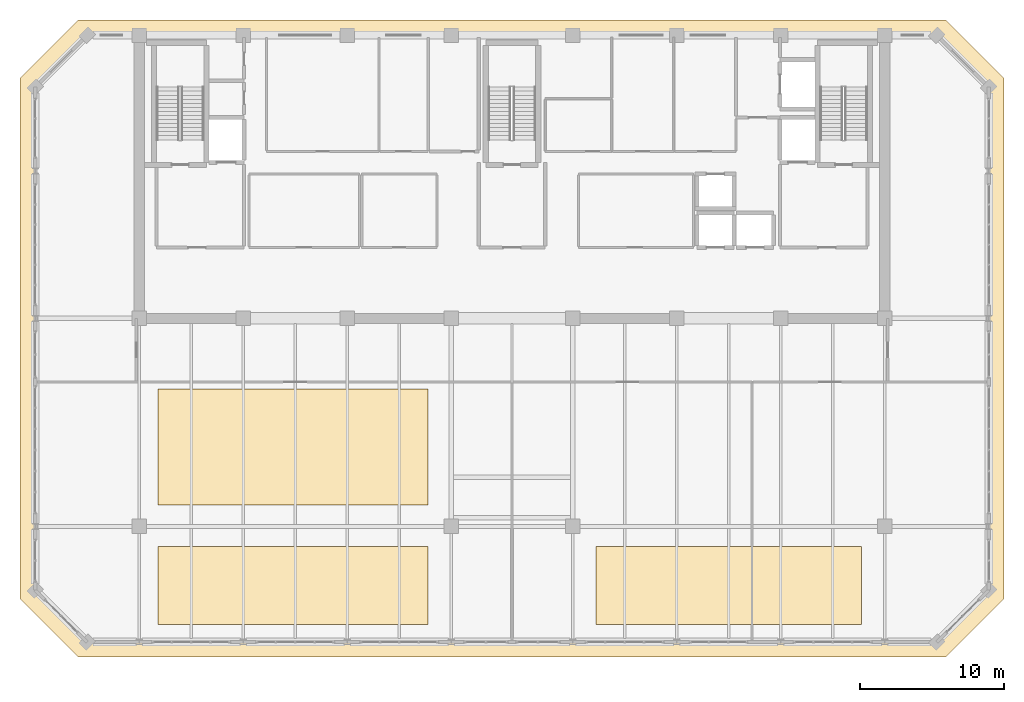
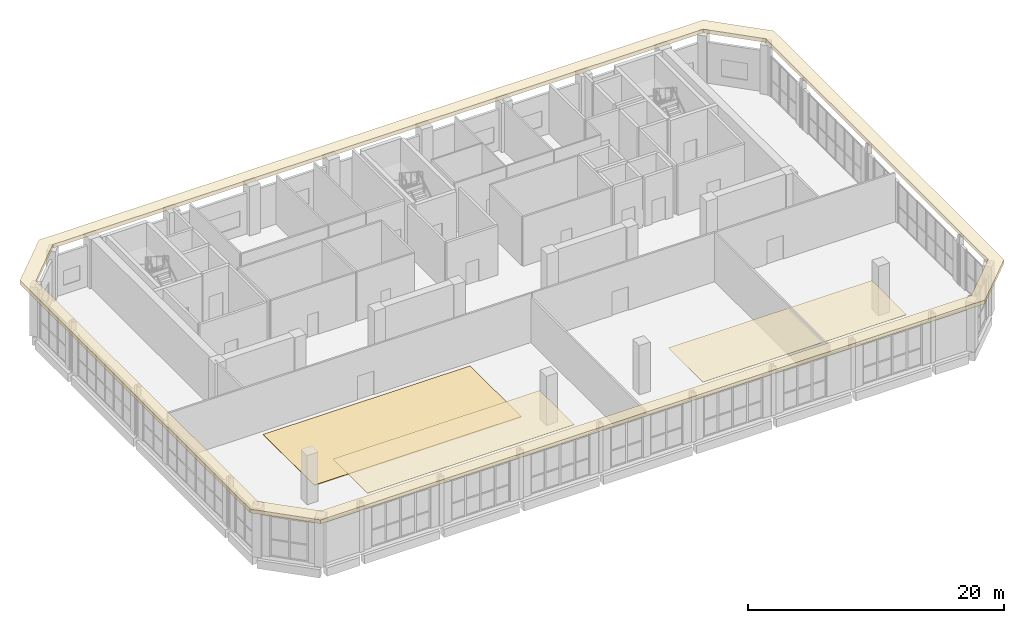
# One storey, part 34 of 36: 4 coverings.
"""IFC4 building model written with IfcOpenShell, lengths in metres."""

from ifc_helpers import new_model, si_unit, direction, frame, origin, place, context, subcontext, project, spatial, polyline, outline, extrude, material, layer, layer_set, type_object, element, save


model = new_model("IFC4")

# Units and contexts
model_context = context("Model", 3, precision=1e-05, world=origin(), true_north=direction((0.0, 1.0)))
body_context = subcontext(model_context, "Body", "Model", "MODEL_VIEW")
ifc_project = project(units=[si_unit("LENGTHUNIT", "METRE"), si_unit("AREAUNIT", "SQUARE_METRE"), si_unit("VOLUMEUNIT", "CUBIC_METRE"), si_unit("PLANEANGLEUNIT", "RADIAN"), si_unit("MASSUNIT", "GRAM", prefix="KILO")], contexts=[model_context])

# Site, building, storey
site_placement = place(None, origin())
site = spatial("IfcSite", under=ifc_project, at=site_placement, CompositionType="ELEMENT")
building_placement = place(site_placement, origin())
building = spatial("IfcBuilding", under=site, at=building_placement, Name="Kaelvorn Grand Hotel", CompositionType="ELEMENT")
storey_placement = place(building_placement, frame((0.0, 0.0, 305.699951171875)))
storey = spatial("IfcBuildingStorey", under=building, at=storey_placement, Name="L74", CompositionType="ELEMENT", Elevation=305.699951171875)

# Coverings
ifc_material_1 = material(Name="Precast concrete C45/55", Category="concrete")
ifc_layer_1 = layer(ifc_material_1, 0.260009765625)
ifc_layer_set_1 = layer_set([ifc_layer_1], Name="Precast concrete C45/55")
covering_type_1 = type_object("IfcCoveringType", Name="COV-BAND-STREAMLINE-HEAD", PredefinedType="CLADDING", material=ifc_layer_set_1)
covering_1_placement = place(storey_placement, frame((0.0, 0.0, 4.679931640625)))
element("IfcCovering", 1, at=covering_1_placement, inside=storey, type_object=covering_type_1, Name="L74 Streamline Moderne Wraparound Horizontal Eyebrow Band", PredefinedType="CLADDING", context=body_context, shape_type="SweptSolid", body=[
    extrude(outline(polyline([(11.989990234375, 5.949951171875), (72.010009765625, 5.949951171875), (76.050048828125, 9.989990234375), (76.050048828125, 46.010009765625), (72.010009765625, 50.050048828125), (11.989990234375, 50.050048828125), (7.949951171875, 46.010009765625), (7.949951171875, 9.989990234375), (11.989990234375, 5.949951171875)]), holes=[polyline([(12.6201171875, 7.030029296875), (71.3798828125, 7.030029296875), (74.969970703125, 10.6201171875), (74.969970703125, 45.3798828125), (71.3798828125, 48.969970703125), (12.6201171875, 48.969970703125), (9.030029296875, 45.3798828125), (9.030029296875, 10.6201171875), (12.6201171875, 7.030029296875)])]), origin(), (0.0, 0.0, 1.0), 0.360107421875),
])
ifc_material_2 = material(Name="Slatted Malaysian Teak Timber Acoustic Baffle", Category="wood")
ifc_layer_2 = layer(ifc_material_2, 0.034912109375)
ifc_layer_set_2 = layer_set([ifc_layer_2], Name="Slatted Malaysian Teak Timber Acoustic Baffle")
covering_type_2 = type_object("IfcCoveringType", Name="COV-CEIL-TIMBER-35", PredefinedType="CEILING", material=ifc_layer_set_2)
covering_2_placement = place(storey_placement, frame((0.0, 0.0, 4.27001953125)))
element("IfcCovering", 2, at=covering_2_placement, inside=storey, type_object=covering_type_2, Name="L74 Suspended Acoustic Ceiling Panel 1", PredefinedType="CEILING", context=body_context, shape_type="SweptSolid", body=[
    extrude(outline(polyline([(17.5, 8.199951171875), (36.199951171875, 8.199951171875), (36.199951171875, 13.60009765625), (17.5, 13.60009765625), (17.5, 8.199951171875)])), origin(), (0.0, 0.0, 1.0), 0.034912109375),
])
covering_3_placement = place(storey_placement, frame((0.0, 0.0, 4.27001953125)))
element("IfcCovering", 3, at=covering_3_placement, inside=storey, type_object=covering_type_2, Name="L74 Suspended Acoustic Ceiling Panel 2", PredefinedType="CEILING", context=body_context, shape_type="SweptSolid", body=[
    extrude(outline(polyline([(47.800048828125, 8.199951171875), (66.199951171875, 8.199951171875), (66.199951171875, 13.60009765625), (47.800048828125, 13.60009765625), (47.800048828125, 8.199951171875)])), origin(), (0.0, 0.0, 1.0), 0.034912109375),
])
ifc_material_3 = material(Name="Polished Terrazzo Stone Tile", Category="masonry")
ifc_layer_3 = layer(ifc_material_3, 0.0400390625)
ifc_layer_set_3 = layer_set([ifc_layer_3], Name="Polished Terrazzo Stone Tile")
covering_type_3 = type_object("IfcCoveringType", Name="COV-FLR-TERRAZZO-40", PredefinedType="FLOORING", material=ifc_layer_set_3)
covering_4_placement = place(storey_placement, origin())
element("IfcCovering", 4, at=covering_4_placement, inside=storey, type_object=covering_type_3, Name="L74 Terrazzo Concourse Floor Finish", PredefinedType="FLOORING", context=body_context, shape_type="SweptSolid", body=[
    extrude(outline(polyline([(17.5, 16.5), (36.199951171875, 16.5), (36.199951171875, 24.5), (17.5, 24.5), (17.5, 16.5)])), origin(), (0.0, 0.0, 1.0), 0.0400390625),
])

save(model, "model.ifc")
